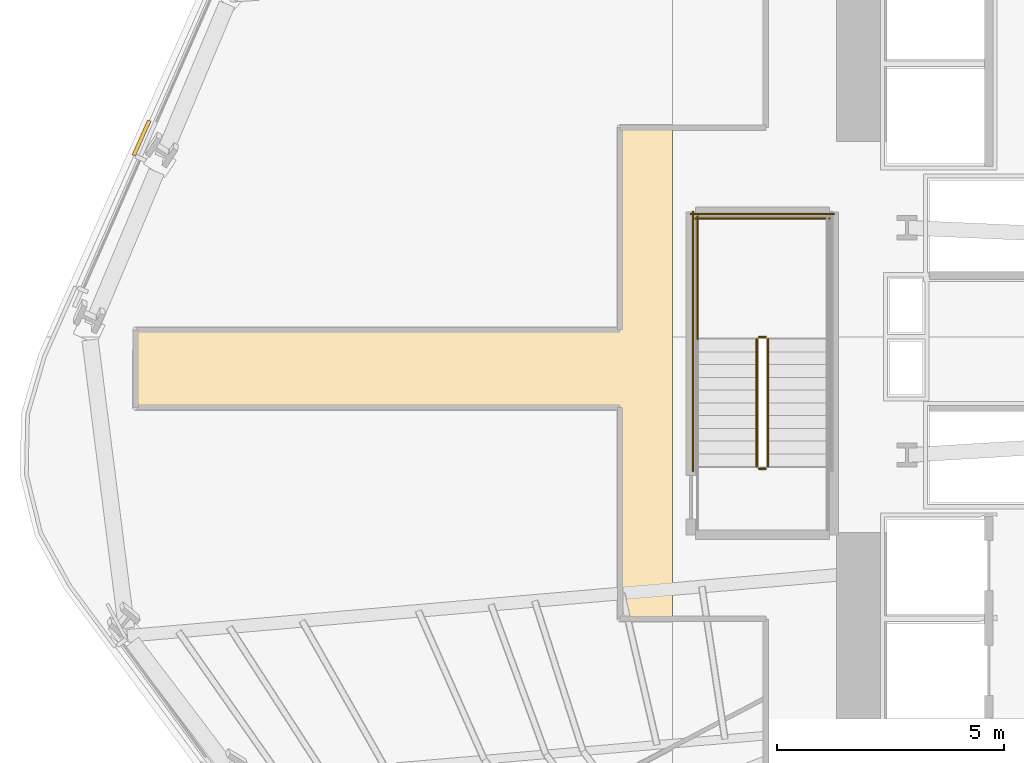
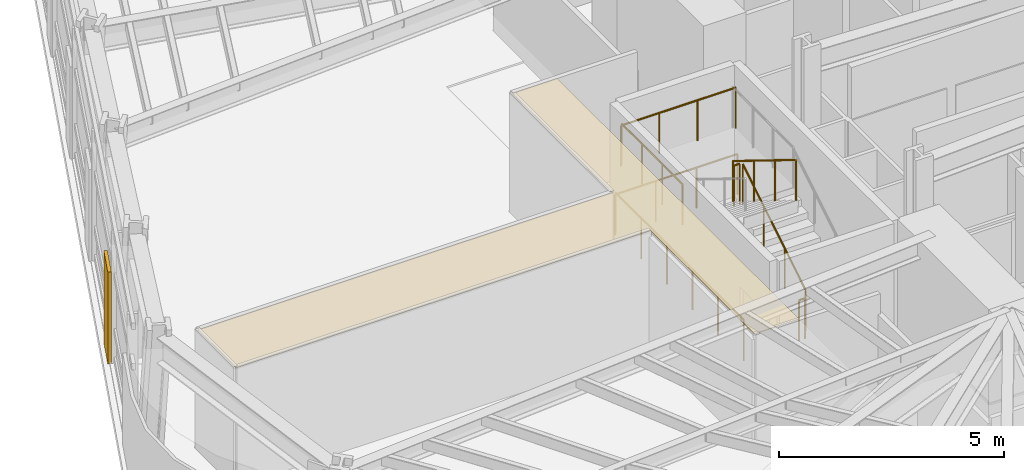
# One storey, part 11 of 16: 8 railings, 2 coverings.
"""IFC4 building model written with IfcOpenShell, lengths in metres."""

from ifc_helpers import new_model, si_unit, direction, frame, origin, origin_2d, place, context, subcontext, project, spatial, polyline, circle, outline, extrude, material, layer, layer_set, type_object, element, save


model = new_model("IFC4")

# Units and contexts
model_context = context("Model", 3, precision=1e-05, world=origin(), true_north=direction((0.0, 1.0)))
body_context = subcontext(model_context, "Body", "Model", "MODEL_VIEW")
ifc_project = project(units=[si_unit("LENGTHUNIT", "METRE"), si_unit("AREAUNIT", "SQUARE_METRE"), si_unit("VOLUMEUNIT", "CUBIC_METRE"), si_unit("PLANEANGLEUNIT", "RADIAN"), si_unit("MASSUNIT", "GRAM", prefix="KILO")], contexts=[model_context])

# Site, building, storey
site_placement = place(None, origin())
site = spatial("IfcSite", under=ifc_project, at=site_placement, CompositionType="ELEMENT")
building_placement = place(site_placement, origin())
building = spatial("IfcBuilding", under=site, at=building_placement, Name="Valkerne Bourse Tower", CompositionType="ELEMENT")
storey_placement = place(building_placement, frame((0.0, 0.0, 50.60009765625)))
storey = spatial("IfcBuildingStorey", under=building, at=storey_placement, Name="L12", CompositionType="ELEMENT", Elevation=50.60009765625)

# Coverings
ifc_material_1 = material(Name="Bronze Anodised Aluminium AA 6063-T6", Category="aluminium")
ifc_layer_1 = layer(ifc_material_1, 0.030029296875)
ifc_layer_set_1 = layer_set([ifc_layer_1], Name="Bronze Anodised Aluminium AA 6063-T6")
covering_type_1 = type_object("IfcCoveringType", Name="COV-CEIL-METAL", PredefinedType="CEILING", material=ifc_layer_set_1)
covering_1_placement = place(storey_placement, frame((0.0, 0.0, 3.22998046875)))
element("IfcCovering", 1, at=covering_1_placement, inside=storey, type_object=covering_type_1, Name="L12 Suspended Ceiling 02", PredefinedType="CEILING", context=body_context, shape_type="SweptSolid", body=[
    extrude(outline(polyline([(32.4541015625, 20.803955078125), (32.4541015625, 25.4541015625), (21.803955078125, 25.4541015625), (21.803955078125, 27.14599609375), (32.4541015625, 27.14599609375), (32.4541015625, 31.595947265625), (33.60009765625, 31.595947265625), (33.60009765625, 20.803955078125), (32.4541015625, 20.803955078125)])), origin(), (0.0, 0.0, 1.0), 0.02490234375),
])
ifc_layer_2 = layer(ifc_material_1, 0.06005859375)
ifc_layer_set_2 = layer_set([ifc_layer_2], Name="Bronze Anodised Aluminium AA 6063-T6")
covering_type_2 = type_object("IfcCoveringType", Name="COV-CRN-ALUM", PredefinedType="CLADDING", material=ifc_layer_set_2)
covering_2_placement = place(storey_placement, origin())
element("IfcCovering", 2, at=covering_2_placement, inside=storey, type_object=covering_type_2, Name="L12 Wind-Shaped Corner Aluminium Cladding 12", PredefinedType="CLADDING", context=body_context, shape_type="SweptSolid", body=[
    extrude(outline(polyline([(22.06103515625, 31.772216796875), (22.13427734375, 31.739990234375), (21.793212890625, 30.972412109375), (21.719970703125, 31.004638671875), (22.06103515625, 31.772216796875)])), origin(), (0.0, 0.0, 1.0), 2.5),
])

# Railings
ifc_material_2 = material(Name="Galvanised Painted Steel", Category="steel")
railing_type = type_object("IfcRailingType", Name="RLG-ST-GUARD-1120", PredefinedType="GUARDRAIL", material=ifc_material_2)
railing_1_placement = place(storey_placement, frame((35.699951171875, 24.14990234375, 0.172607421875)))
element("IfcRailing", 3, at=railing_1_placement, inside=storey, type_object=railing_type, Name="L12 ST-3 stair guard 1", PredefinedType="GUARDRAIL", context=body_context, shape_type="SweptSolid", body=[
    extrude(circle(Radius=0.02392578125, at=origin_2d()), frame((0.0, 0.0, 1.09619140625), z_axis=(0.0, 0.851089632645, 0.525020415988), x_axis=(-1.0, 0.0, 0.0)), (0.0, 0.0, 1.0), 3.2900390625),
    extrude(circle(Radius=0.02099609375, at=origin_2d()), origin(), (0.0, 0.0, 1.0), 1.072021484375),
    extrude(circle(Radius=0.02099609375, at=origin_2d()), frame((0.0, 0.933349609375, 0.57568359375)), (0.0, 0.0, 1.0), 1.072021484375),
    extrude(circle(Radius=0.02099609375, at=origin_2d()), frame((0.0, 1.86669921875, 1.151611328125)), (0.0, 0.0, 1.0), 1.072021484375),
    extrude(circle(Radius=0.02099609375, at=origin_2d()), frame((0.0, 2.800048828125, 1.727294921875)), (0.0, 0.0, 1.0), 1.072021484375),
])
railing_2_placement = place(storey_placement, frame((35.64990234375, 27.0, 1.89990234375)))
element("IfcRailing", 4, at=railing_2_placement, inside=storey, type_object=railing_type, Name="L12 ST-3 stair guard 2", PredefinedType="GUARDRAIL", context=body_context, shape_type="SweptSolid", body=[
    extrude(circle(Radius=0.02392578125, at=origin_2d()), frame((0.0, 0.0, 1.09619140625), z_axis=(-1.0, 0.0, 0.0), x_axis=(0.0, -1.0, 0.0)), (0.0, 0.0, 1.0), 0.14990234375),
    extrude(circle(Radius=0.02099609375, at=origin_2d()), origin(), (0.0, 0.0, 1.0), 1.072021484375),
    extrude(circle(Radius=0.02099609375, at=origin_2d()), frame((-0.14990234375, 0.0, 0.0)), (0.0, 0.0, 1.0), 1.072021484375),
])
railing_3_placement = place(storey_placement, frame((34.14990234375, 26.949951171875, 1.89990234375)))
element("IfcRailing", 5, at=railing_3_placement, inside=storey, type_object=railing_type, Name="L12 ST-3 stair guard 4", PredefinedType="GUARDRAIL", context=body_context, shape_type="SweptSolid", body=[
    extrude(circle(Radius=0.02392578125, at=origin_2d()), frame((0.0, 0.0, 1.09619140625), z_axis=(0.0, 1.0, 0.0), x_axis=(-1.0, 0.0, 0.0)), (0.0, 0.0, 1.0), 2.699951171875),
    extrude(circle(Radius=0.02099609375, at=origin_2d()), origin(), (0.0, 0.0, 1.0), 1.072021484375),
    extrude(circle(Radius=0.02099609375, at=origin_2d()), frame((0.0, 0.89990234375, 0.0)), (0.0, 0.0, 1.0), 1.072021484375),
    extrude(circle(Radius=0.02099609375, at=origin_2d()), frame((0.0, 1.800048828125, 0.0)), (0.0, 0.0, 1.0), 1.072021484375),
    extrude(circle(Radius=0.02099609375, at=origin_2d()), frame((0.0, 2.699951171875, 0.0)), (0.0, 0.0, 1.0), 1.072021484375),
])
railing_4_placement = place(storey_placement, frame((37.050048828125, 29.60009765625, 1.89990234375)))
element("IfcRailing", 6, at=railing_4_placement, inside=storey, type_object=railing_type, Name="L12 ST-3 stair guard 5", PredefinedType="GUARDRAIL", context=body_context, shape_type="SweptSolid", body=[
    extrude(circle(Radius=0.02392578125, at=origin_2d()), frame((0.0, 0.0, 1.09619140625), z_axis=(-1.0, 0.0, 0.0), x_axis=(0.0, -1.0, 0.0)), (0.0, 0.0, 1.0), 2.949951171875),
    extrude(circle(Radius=0.02099609375, at=origin_2d()), origin(), (0.0, 0.0, 1.0), 1.072021484375),
    extrude(circle(Radius=0.02099609375, at=origin_2d()), frame((-0.9833984375, 0.0, 0.0)), (0.0, 0.0, 1.0), 1.072021484375),
    extrude(circle(Radius=0.02099609375, at=origin_2d()), frame((-1.966552734375, 0.0, 0.0)), (0.0, 0.0, 1.0), 1.072021484375),
    extrude(circle(Radius=0.02099609375, at=origin_2d()), frame((-2.949951171875, 0.0, 0.0)), (0.0, 0.0, 1.0), 1.072021484375),
])
railing_5_placement = place(storey_placement, frame((35.449951171875, 26.949951171875, 2.072509765625)))
element("IfcRailing", 7, at=railing_5_placement, inside=storey, type_object=railing_type, Name="L12 ST-3 stair guard 6", PredefinedType="GUARDRAIL", context=body_context, shape_type="SweptSolid", body=[
    extrude(circle(Radius=0.02392578125, at=origin_2d()), frame((0.0, 0.0, 1.09619140625), z_axis=(0.0, -0.851089632645, 0.525020415988), x_axis=(1.0, 0.0, 0.0)), (0.0, 0.0, 1.0), 3.2900390625),
    extrude(circle(Radius=0.02099609375, at=origin_2d()), origin(), (0.0, 0.0, 1.0), 1.072021484375),
    extrude(circle(Radius=0.02099609375, at=origin_2d()), frame((0.0, -0.933349609375, 0.57568359375)), (0.0, 0.0, 1.0), 1.072021484375),
    extrude(circle(Radius=0.02099609375, at=origin_2d()), frame((0.0, -1.86669921875, 1.151611328125)), (0.0, 0.0, 1.0), 1.072021484375),
    extrude(circle(Radius=0.02099609375, at=origin_2d()), frame((0.0, -2.800048828125, 1.727294921875)), (0.0, 0.0, 1.0), 1.072021484375),
])
railing_6_placement = place(storey_placement, frame((35.64990234375, 24.10009765625, 0.0)))
element("IfcRailing", 8, at=railing_6_placement, inside=storey, type_object=railing_type, Name="L12 ST-3 stair guard 7", PredefinedType="GUARDRAIL", context=body_context, shape_type="SweptSolid", body=[
    extrude(circle(Radius=0.02392578125, at=origin_2d()), frame((0.0, 0.0, 1.09619140625), z_axis=(-1.0, 0.0, 0.0), x_axis=(0.0, -1.0, 0.0)), (0.0, 0.0, 1.0), 0.14990234375),
    extrude(circle(Radius=0.02099609375, at=origin_2d()), origin(), (0.0, 0.0, 1.0), 1.072021484375),
    extrude(circle(Radius=0.02099609375, at=origin_2d()), frame((-0.14990234375, 0.0, 0.0)), (0.0, 0.0, 1.0), 1.072021484375),
])
railing_7_placement = place(storey_placement, frame((34.050048828125, 24.050048828125, 0.0)))
element("IfcRailing", 9, at=railing_7_placement, inside=storey, type_object=railing_type, Name="L12 ST-3 stair guard 11", PredefinedType="GUARDRAIL", context=body_context, shape_type="SweptSolid", body=[
    extrude(circle(Radius=0.02392578125, at=origin_2d()), frame((0.0, 0.0, 1.09619140625), z_axis=(0.0, 1.0, 0.0), x_axis=(-1.0, 0.0, 0.0)), (0.0, 0.0, 1.0), 5.699951171875),
    extrude(circle(Radius=0.02099609375, at=origin_2d()), origin(), (0.0, 0.0, 1.0), 1.072021484375),
    extrude(circle(Radius=0.02099609375, at=origin_2d()), frame((0.0, 1.139892578125, 0.0)), (0.0, 0.0, 1.0), 1.072021484375),
    extrude(circle(Radius=0.02099609375, at=origin_2d()), frame((0.0, 2.280029296875, 0.0)), (0.0, 0.0, 1.0), 1.072021484375),
    extrude(circle(Radius=0.02099609375, at=origin_2d()), frame((0.0, 3.419921875, 0.0)), (0.0, 0.0, 1.0), 1.072021484375),
    extrude(circle(Radius=0.02099609375, at=origin_2d()), frame((0.0, 4.56005859375, 0.0)), (0.0, 0.0, 1.0), 1.072021484375),
    extrude(circle(Radius=0.02099609375, at=origin_2d()), frame((0.0, 5.699951171875, 0.0)), (0.0, 0.0, 1.0), 1.072021484375),
])
railing_8_placement = place(storey_placement, frame((37.14990234375, 29.699951171875, 0.0)))
element("IfcRailing", 10, at=railing_8_placement, inside=storey, type_object=railing_type, Name="L12 ST-3 stair guard 12", PredefinedType="GUARDRAIL", context=body_context, shape_type="SweptSolid", body=[
    extrude(circle(Radius=0.02392578125, at=origin_2d()), frame((0.0, 0.0, 1.09619140625), z_axis=(-1.0, 0.0, 0.0), x_axis=(0.0, -1.0, 0.0)), (0.0, 0.0, 1.0), 3.14990234375),
    extrude(circle(Radius=0.02099609375, at=origin_2d()), origin(), (0.0, 0.0, 1.0), 1.072021484375),
    extrude(circle(Radius=0.02099609375, at=origin_2d()), frame((-1.050048828125, 0.0, 0.0)), (0.0, 0.0, 1.0), 1.072021484375),
    extrude(circle(Radius=0.02099609375, at=origin_2d()), frame((-2.099853515625, 0.0, 0.0)), (0.0, 0.0, 1.0), 1.072021484375),
    extrude(circle(Radius=0.02099609375, at=origin_2d()), frame((-3.14990234375, 0.0, 0.0)), (0.0, 0.0, 1.0), 1.072021484375),
])

save(model, "model.ifc")
